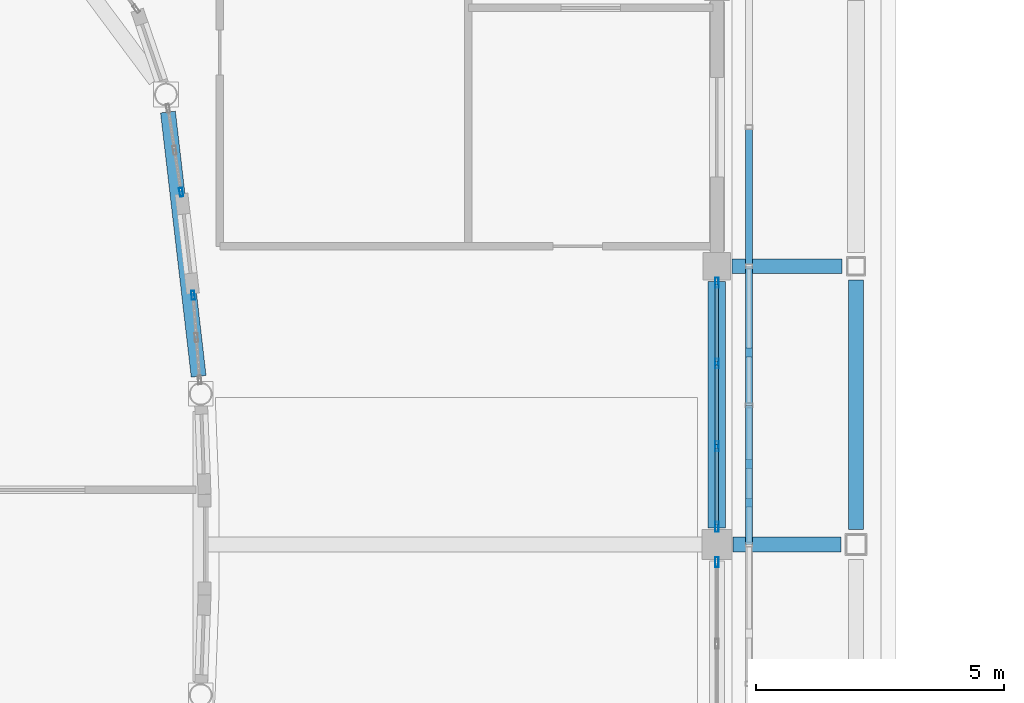
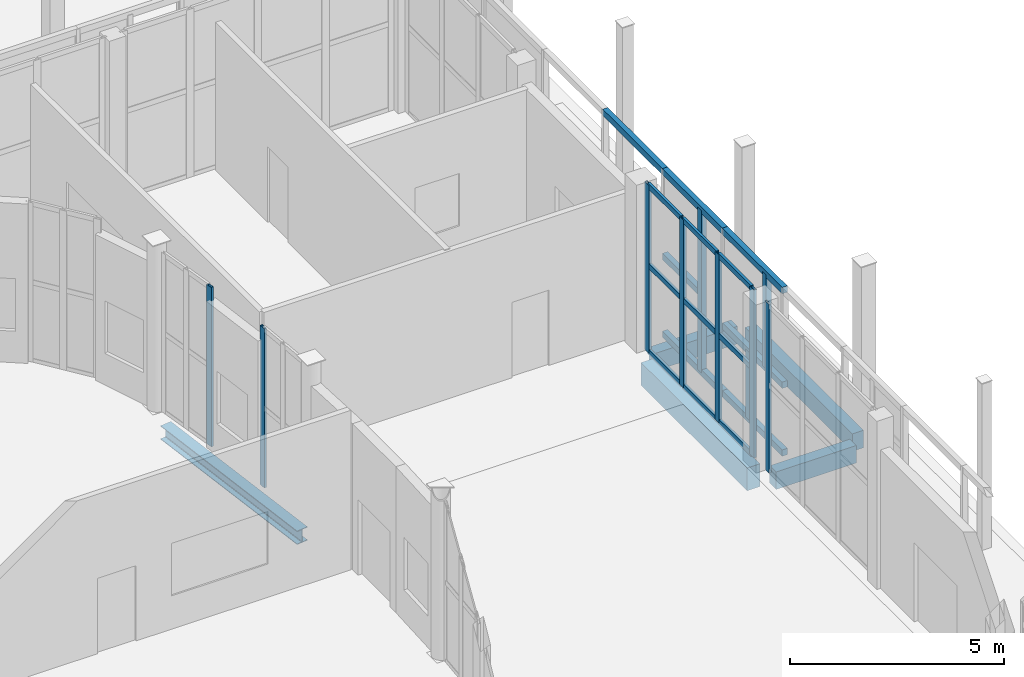
# One storey, part 43 of 91: 26 members, 5 beams, 4 elements without a shape of their own.
"""IFC4 building model written with IfcOpenShell, lengths in metres."""

from ifc_helpers import new_model, si_unit, direction, frame, origin, origin_2d, place, context, subcontext, project, spatial, rectangle, hollow_rectangle, i_section, extrude, material, layer, layer_set, material_profile, profile_set, type_object, element, aggregate, save


model = new_model("IFC4")

# Units and contexts
model_context = context("Model", 3, precision=1e-05, world=origin(), true_north=direction((0.0, 1.0)))
body_context = subcontext(model_context, "Body", "Model", "MODEL_VIEW")
ifc_project = project(units=[si_unit("LENGTHUNIT", "METRE"), si_unit("AREAUNIT", "SQUARE_METRE"), si_unit("VOLUMEUNIT", "CUBIC_METRE"), si_unit("PLANEANGLEUNIT", "RADIAN"), si_unit("MASSUNIT", "GRAM", prefix="KILO")], contexts=[model_context])

# Site, building, storey
site_placement = place(None, origin())
site = spatial("IfcSite", under=ifc_project, at=site_placement, CompositionType="ELEMENT")
building_placement = place(site_placement, origin())
building = spatial("IfcBuilding", under=site, at=building_placement, Name="Vinh Khe Railworks Police Headquarters", CompositionType="ELEMENT")
storey_placement = place(building_placement, origin())
storey = spatial("IfcBuildingStorey", under=building, at=storey_placement, Name="L00", CompositionType="ELEMENT", Elevation=0.0)

# Members
ifc_material_1 = material(Name="Salvaged ironwood timber", Category="wood")
ifc_material_profile_1 = material_profile(ifc_material_1, rectangle(XDim=0.139892578125, YDim=0.179931640625, at=origin_2d()), Name="TIMBER 140x180")
ifc_profile_set_1 = profile_set([ifc_material_profile_1], Name="Salvaged ironwood timber")
member_type_1 = type_object("IfcMemberType", Name="MEM-QUILT-STILE", PredefinedType="CHORD", material=ifc_profile_set_1)
for number, where, z_axis, x_axis, name in (
    (1, (60.64990234375, 42.0, 4.719970703125), (0.0, 1.0, 0.0), (-1.0, 0.0, 0.0), "Salvaged Timber Quilt Transom E-L00-06-TOP"),
    (2, (60.64990234375, 42.0, 0.080078125), (0.0, 1.0, 0.0), (-1.0, 0.0, 0.0), "Salvaged Timber Quilt Transom E-L00-06-BOT"),
    (3, (60.64990234375, 42.0, 2.01611328125), (0.0, 1.0, 0.0), (-1.0, 0.0, 0.0), "Salvaged Timber Quilt Transom E-L00-06-M1"),
):
    element("IfcMember", number, at=place(storey_placement, frame(where, z_axis=z_axis, x_axis=x_axis)), inside=storey, type_object=member_type_1, Name=name, PredefinedType="CHORD", context=body_context, shape_type="SweptSolid", body=[
        extrude(rectangle(XDim=0.139892578125, YDim=0.179931640625, at=origin_2d()), origin(), (0.0, 0.0, 1.0), 2.800048828125),
    ])
member_1_placement = place(storey_placement, frame((60.64990234375, 43.6240234375, 0.080078125), z_axis=(0.0, 0.0, 1.0), x_axis=(1.0, 0.0, 0.0)))
element("IfcMember", 4, at=member_1_placement, inside=storey, type_object=member_type_1, Name="Salvaged Timber Quilt Stile E-L00-06-V1", PredefinedType="POST", context=body_context, shape_type="SweptSolid", body=[
    extrude(rectangle(XDim=0.139892578125, YDim=0.179931640625, at=origin_2d()), origin(), (0.0, 0.0, 1.0), 1.93603515625),
])
member_2_placement = place(storey_placement, frame((60.64990234375, 42.840087890625, 2.01611328125), z_axis=(0.0, 0.0, 1.0), x_axis=(1.0, 0.0, 0.0)))
element("IfcMember", 5, at=member_2_placement, inside=storey, type_object=member_type_1, Name="Salvaged Timber Quilt Stile E-L00-06-V2", PredefinedType="POST", context=body_context, shape_type="SweptSolid", body=[
    extrude(rectangle(XDim=0.139892578125, YDim=0.179931640625, at=origin_2d()), origin(), (0.0, 0.0, 1.0), 2.703857421875),
])
for number, where, z_axis, x_axis, name in (
    (6, (60.64990234375, 44.800048828125, 4.719970703125), (0.0, 1.0, 0.0), (-1.0, 0.0, 0.0), "Salvaged Timber Quilt Transom E-L00-07-TOP"),
    (7, (60.64990234375, 44.800048828125, 0.080078125), (0.0, 1.0, 0.0), (-1.0, 0.0, 0.0), "Salvaged Timber Quilt Transom E-L00-07-BOT"),
):
    element("IfcMember", number, at=place(storey_placement, frame(where, z_axis=z_axis, x_axis=x_axis)), inside=storey, type_object=member_type_1, Name=name, PredefinedType="CHORD", context=body_context, shape_type="SweptSolid", body=[
        extrude(rectangle(XDim=0.139892578125, YDim=0.179931640625, at=origin_2d()), origin(), (0.0, 0.0, 1.0), 2.800048828125),
    ])
member_3_placement = place(storey_placement, frame((60.64990234375, 45.864013671875, 0.080078125), z_axis=(0.0, 0.0, 1.0), x_axis=(1.0, 0.0, 0.0)))
element("IfcMember", 8, at=member_3_placement, inside=storey, type_object=member_type_1, Name="Salvaged Timber Quilt Stile E-L00-07-V1", PredefinedType="POST", context=body_context, shape_type="SweptSolid", body=[
    extrude(rectangle(XDim=0.139892578125, YDim=0.179931640625, at=origin_2d()), origin(), (0.0, 0.0, 1.0), 4.639892578125),
])
member_4_placement = place(storey_placement, frame((60.64990234375, 45.864013671875, 2.303955078125), z_axis=(0.0, 1.0, 0.0), x_axis=(-1.0, 0.0, 0.0)))
element("IfcMember", 9, at=member_4_placement, inside=storey, type_object=member_type_1, Name="Salvaged Timber Quilt Transom E-L00-07-M1", PredefinedType="CHORD", context=body_context, shape_type="SweptSolid", body=[
    extrude(rectangle(XDim=0.139892578125, YDim=0.179931640625, at=origin_2d()), origin(), (0.0, 0.0, 1.0), 1.736083984375),
])
member_5_placement = place(storey_placement, frame((60.64990234375, 47.60009765625, 4.719970703125), z_axis=(0.0, 1.0, 0.0), x_axis=(-1.0, 0.0, 0.0)))
element("IfcMember", 10, at=member_5_placement, inside=storey, type_object=member_type_1, Name="Salvaged Timber Quilt Transom E-L00-08-TOP", PredefinedType="CHORD", context=body_context, shape_type="SweptSolid", body=[
    extrude(rectangle(XDim=0.139892578125, YDim=0.179931640625, at=origin_2d()), origin(), (0.0, 0.0, 1.0), 2.7998046875),
])

# Curtain wall, member
ifc_material_2 = material(Name="Anodised aluminium and acoustic laminated glass", Category="aluminium")
ifc_layer_1 = layer(ifc_material_2, 0.159912109375)
ifc_layer_set_1 = layer_set([ifc_layer_1], Name="Anodised aluminium and acoustic laminated glass")
curtain_wall_type_1 = type_object("IfcCurtainWallType", Name="CW-DRUM-CHORD", PredefinedType="USERDEFINED", material=ifc_layer_set_1)
curtain_wall_1_placement = place(storey_placement, origin())
curtain_wall_1 = element("IfcCurtainWall", 11, at=curtain_wall_1_placement, inside=storey, type_object=curtain_wall_type_1, Name="Elliptical Command Drum Glazing L00 Chord 7", ObjectType="DRUM FACADE GLAZING", PredefinedType="USERDEFINED")
ifc_material_3 = material(Name="Anodised aluminium 6063-T6", Category="aluminium")
ifc_material_profile_2 = material_profile(ifc_material_3, hollow_rectangle(XDim=0.06494140625, YDim=0.179931640625, WallThickness=0.0048828125, at=origin_2d()), Name="CW-M 65x180x5")
ifc_profile_set_2 = profile_set([ifc_material_profile_2], Name="Anodised aluminium 6063-T6")
member_type_2 = type_object("IfcMemberType", Name="MULL-CWM-02", PredefinedType="MULLION", material=ifc_profile_set_2)
member_6_placement = place(storey_placement, frame((49.459228515625, 47.01611328125, 0.0), z_axis=(0.0, 0.0, 1.0), x_axis=(-0.997033391352, -0.076970231448, 0.0)))
member_6 = element("IfcMember", 12, at=member_6_placement, type_object=member_type_2, Name="CW-02 mullion 3", PredefinedType="MULLION", context=body_context, shape_type="SweptSolid", body=[
    extrude(hollow_rectangle(XDim=0.06494140625, YDim=0.179931640625, WallThickness=0.0048828125, at=origin_2d()), origin(), (0.0, 0.0, 1.0), 4.550048828125),
])
aggregate(curtain_wall_1, [member_6])

curtain_wall_2_placement = place(storey_placement, origin())
curtain_wall_2 = element("IfcCurtainWall", 13, at=curtain_wall_2_placement, inside=storey, type_object=curtain_wall_type_1, Name="Elliptical Command Drum Glazing L00 Chord 9", ObjectType="DRUM FACADE GLAZING", PredefinedType="USERDEFINED")
member_7_placement = place(storey_placement, frame((49.218505859375, 49.089599609375, 0.0), z_axis=(0.0, 0.0, 1.0), x_axis=(-0.988149989037, -0.153491365117, 0.0)))
member_7 = element("IfcMember", 14, at=member_7_placement, type_object=member_type_2, Name="CW-02 mullion 1", PredefinedType="MULLION", context=body_context, shape_type="SweptSolid", body=[
    extrude(hollow_rectangle(XDim=0.06494140625, YDim=0.179931640625, WallThickness=0.0048828125, at=origin_2d()), origin(), (0.0, 0.0, 1.0), 4.550048828125),
])
aggregate(curtain_wall_2, [member_7])

ifc_material_4 = material(Name="Anodised aluminium and low-iron glass", Category="aluminium")
ifc_layer_2 = layer(ifc_material_4, 0.179931640625)
ifc_layer_set_2 = layer_set([ifc_layer_2], Name="Anodised aluminium and low-iron glass")
curtain_wall_type_2 = type_object("IfcCurtainWallType", Name="CW-CUBE-UNIT", PredefinedType="USERDEFINED", material=ifc_layer_set_2)
curtain_wall_3_placement = place(storey_placement, origin())
curtain_wall_3 = element("IfcCurtainWall", 15, at=curtain_wall_3_placement, inside=storey, type_object=curtain_wall_type_2, Name="Entrance Hall Curtain Wall L00 E-3", ObjectType="UNITISED GLAZING", PredefinedType="USERDEFINED")
ifc_material_profile_3 = material_profile(ifc_material_3, hollow_rectangle(XDim=0.070068359375, YDim=0.199951171875, WallThickness=0.0048828125, at=origin_2d()), Name="CW-M 70x200x5")
ifc_profile_set_3 = profile_set([ifc_material_profile_3], Name="Anodised aluminium 6063-T6")
member_type_3 = type_object("IfcMemberType", Name="MULL-CWM-03", PredefinedType="MULLION", material=ifc_profile_set_3)
member_8_placement = place(storey_placement, frame((60.0, 41.64501953125, 0.0), z_axis=(0.0, 0.0, 1.0), x_axis=(-1.0, 0.0, 0.0)))
member_8 = element("IfcMember", 16, at=member_8_placement, type_object=member_type_3, Name="CW-01 mullion 4", PredefinedType="MULLION", context=body_context, shape_type="SweptSolid", body=[
    extrude(hollow_rectangle(XDim=0.070068359375, YDim=0.199951171875, WallThickness=0.0048828125, at=origin_2d()), origin(), (0.0, 0.0, 1.0), 4.800048828125),
])
aggregate(curtain_wall_3, [member_8])

# Curtain wall, members
curtain_wall_4_placement = place(storey_placement, origin())
curtain_wall_4 = element("IfcCurtainWall", 17, at=curtain_wall_4_placement, inside=storey, type_object=curtain_wall_type_2, Name="Entrance Hall Curtain Wall L00 E-4", ObjectType="UNITISED GLAZING", PredefinedType="USERDEFINED")
member_9_placement = place(storey_placement, frame((60.0, 42.35498046875, 0.0), z_axis=(0.0, 0.0, 1.0), x_axis=(-1.0, 0.0, 0.0)))
member_9 = element("IfcMember", 18, at=member_9_placement, type_object=member_type_3, Name="CW-01 mullion 1", PredefinedType="MULLION", context=body_context, shape_type="SweptSolid", body=[
    extrude(hollow_rectangle(XDim=0.070068359375, YDim=0.199951171875, WallThickness=0.0048828125, at=origin_2d()), origin(), (0.0, 0.0, 1.0), 4.800048828125),
])
member_10_placement = place(storey_placement, frame((60.0, 43.981689453125, 0.0), z_axis=(0.0, 0.0, 1.0), x_axis=(-1.0, 0.0, 0.0)))
member_10 = element("IfcMember", 19, at=member_10_placement, type_object=member_type_3, Name="CW-01 mullion 2", PredefinedType="MULLION", context=body_context, shape_type="SweptSolid", body=[
    extrude(hollow_rectangle(XDim=0.070068359375, YDim=0.199951171875, WallThickness=0.0048828125, at=origin_2d()), origin(), (0.0, 0.0, 1.0), 4.800048828125),
])
member_11_placement = place(storey_placement, frame((60.0, 45.643310546875, 0.0), z_axis=(0.0, 0.0, 1.0), x_axis=(-1.0, 0.0, 0.0)))
member_11 = element("IfcMember", 20, at=member_11_placement, type_object=member_type_3, Name="CW-01 mullion 3", PredefinedType="MULLION", context=body_context, shape_type="SweptSolid", body=[
    extrude(hollow_rectangle(XDim=0.070068359375, YDim=0.199951171875, WallThickness=0.0048828125, at=origin_2d()), origin(), (0.0, 0.0, 1.0), 4.800048828125),
])
member_12_placement = place(storey_placement, frame((60.0, 47.27001953125, 0.0), z_axis=(0.0, 0.0, 1.0), x_axis=(-1.0, 0.0, 0.0)))
member_12 = element("IfcMember", 21, at=member_12_placement, type_object=member_type_3, Name="CW-01 mullion 4", PredefinedType="MULLION", context=body_context, shape_type="SweptSolid", body=[
    extrude(hollow_rectangle(XDim=0.070068359375, YDim=0.199951171875, WallThickness=0.0048828125, at=origin_2d()), origin(), (0.0, 0.0, 1.0), 4.800048828125),
])

# Beams
ifc_material_5 = material(Name="Concrete C35/45 (B35)", Category="concrete")
ifc_material_profile_4 = material_profile(ifc_material_5, rectangle(XDim=0.300048828125, YDim=0.5, at=origin_2d()), Name="RC 300x500")
ifc_profile_set_4 = profile_set([ifc_material_profile_4], Name="Concrete C35/45 (B35)")
beam_type_1 = type_object("IfcBeamType", Name="RC Girder RC 300x500", PredefinedType="BEAM", material=ifc_profile_set_4)
beam_1_placement = place(storey_placement, frame((60.330078125, 42.0, -0.530029296875), z_axis=(1.0, 0.0, 0.0), x_axis=(0.0, 1.0, 0.0)))
element("IfcBeam", 22, at=beam_1_placement, inside=storey, type_object=beam_type_1, Name="Girder BM-L00-EW-RB-10-0060", PredefinedType="BEAM", context=body_context, shape_type="SweptSolid", body=[
    extrude(rectangle(XDim=0.300048828125, YDim=0.5, at=origin_2d()), origin(), (0.0, 0.0, 1.0), 2.1650390625),
])
beam_2_placement = place(storey_placement, frame((60.304931640625, 47.60009765625, -0.530029296875), z_axis=(1.0, 0.0, 0.0), x_axis=(0.0, 1.0, 0.0)))
element("IfcBeam", 23, at=beam_2_placement, inside=storey, type_object=beam_type_1, Name="Girder BM-L00-EW-RB-10-0066", PredefinedType="BEAM", context=body_context, shape_type="SweptSolid", body=[
    extrude(rectangle(XDim=0.300048828125, YDim=0.5, at=origin_2d()), origin(), (0.0, 0.0, 1.0), 2.215087890625),
])
beam_3_placement = place(storey_placement, frame((62.800048828125, 42.304931640625, -0.530029296875), z_axis=(0.0, 1.0, 0.0), x_axis=(-1.0, 0.0, 0.0)))
element("IfcBeam", 24, at=beam_3_placement, inside=storey, type_object=beam_type_1, Name="Girder BM-L00-NS-RB-10-0339", PredefinedType="BEAM", context=body_context, shape_type="SweptSolid", body=[
    extrude(rectangle(XDim=0.300048828125, YDim=0.5, at=origin_2d()), origin(), (0.0, 0.0, 1.0), 5.01513671875),
])
ifc_material_profile_5 = material_profile(ifc_material_5, rectangle(XDim=0.35009765625, YDim=0.64990234375, at=origin_2d()), Name="RC 350x650")
ifc_profile_set_5 = profile_set([ifc_material_profile_5], Name="Concrete C35/45 (B35)")
beam_type_2 = type_object("IfcBeamType", Name="RC Girder RC 350x650", PredefinedType="BEAM", material=ifc_profile_set_5)
beam_4_placement = place(storey_placement, frame((60.0, 42.330078125, -0.60498046875), z_axis=(0.0, 1.0, 0.0), x_axis=(-1.0, 0.0, 0.0)))
element("IfcBeam", 25, at=beam_4_placement, inside=storey, type_object=beam_type_2, Name="Girder BM-L00-NS-RB-08-0325", PredefinedType="BEAM", context=body_context, shape_type="SweptSolid", body=[
    extrude(rectangle(XDim=0.35009765625, YDim=0.64990234375, at=origin_2d()), origin(), (0.0, 0.0, 1.0), 4.96484375),
])
ifc_material_6 = material(Name="Steel S355JR", Category="steel")
ifc_material_profile_6 = material_profile(ifc_material_6, i_section(OverallWidth=0.300048828125, OverallDepth=0.389892578125, WebThickness=0.010986328125, FlangeThickness=0.01904296875, FilletRadius=0.027099609375, at=origin_2d()), Name="HEA 400")
ifc_profile_set_6 = profile_set([ifc_material_profile_6], Name="Steel S355JR")
beam_type_3 = type_object("IfcBeamType", Name="Steel Girder HEA 400", PredefinedType="BEAM", material=ifc_profile_set_6)
beam_5_placement = place(storey_placement, frame((49.571533203125, 45.384765625, -0.47509765625), z_axis=(-0.115314624092, 0.993329017733, 0.0), x_axis=(-0.993329017733, -0.115314624092, 0.0)))
element("IfcBeam", 26, at=beam_5_placement, inside=storey, type_object=beam_type_3, Name="Drum Ring Girder BM-L00-DRUM-SB-14-0397", PredefinedType="BEAM", context=body_context, shape_type="SweptSolid", body=[
    extrude(i_section(OverallWidth=0.300048828125, OverallDepth=0.389892578125, WebThickness=0.010986328125, FlangeThickness=0.01904296875, FilletRadius=0.027099609375, at=origin_2d()), origin(), (0.0, 0.0, 1.0), 5.354248046875),
])

# Member
ifc_material_profile_7 = material_profile(ifc_material_3, hollow_rectangle(XDim=0.070068359375, YDim=0.14990234375, WallThickness=0.0048828125, at=origin_2d()), Name="CW-T 70x150x5")
ifc_profile_set_7 = profile_set([ifc_material_profile_7], Name="Anodised aluminium 6063-T6")
member_type_4 = type_object("IfcMemberType", Name="TRAN-CWT-03", PredefinedType="USERDEFINED", material=ifc_profile_set_7)
member_13_placement = place(storey_placement, frame((60.0, 42.389892578125, 0.034912109375), z_axis=(0.0, 1.0, 0.0), x_axis=(-1.0, 0.0, 0.0)))
member_13 = element("IfcMember", 27, at=member_13_placement, type_object=member_type_4, Name="CW-01 transom 1.1", ObjectType="TRANSOM", PredefinedType="USERDEFINED", context=body_context, shape_type="SweptSolid", body=[
    extrude(hollow_rectangle(XDim=0.070068359375, YDim=0.14990234375, WallThickness=0.0048828125, at=origin_2d()), origin(), (0.0, 0.0, 1.0), 1.556884765625),
])

member_14_placement = place(storey_placement, frame((60.0, 42.389892578125, 2.49609375), z_axis=(0.0, 1.0, 0.0), x_axis=(-1.0, 0.0, 0.0)))
member_14 = element("IfcMember", 28, at=member_14_placement, type_object=member_type_4, Name="CW-01 transom 1.2", ObjectType="TRANSOM", PredefinedType="USERDEFINED", context=body_context, shape_type="SweptSolid", body=[
    extrude(hollow_rectangle(XDim=0.070068359375, YDim=0.14990234375, WallThickness=0.0048828125, at=origin_2d()), origin(), (0.0, 0.0, 1.0), 1.556884765625),
])

member_15_placement = place(storey_placement, frame((60.0, 42.389892578125, 4.764892578125), z_axis=(0.0, 1.0, 0.0), x_axis=(-1.0, 0.0, 0.0)))
member_15 = element("IfcMember", 29, at=member_15_placement, type_object=member_type_4, Name="CW-01 transom 1.3", ObjectType="TRANSOM", PredefinedType="USERDEFINED", context=body_context, shape_type="SweptSolid", body=[
    extrude(hollow_rectangle(XDim=0.070068359375, YDim=0.14990234375, WallThickness=0.0048828125, at=origin_2d()), origin(), (0.0, 0.0, 1.0), 1.556884765625),
])

member_16_placement = place(storey_placement, frame((60.0, 44.0166015625, 0.034912109375), z_axis=(0.0, 1.0, 0.0), x_axis=(-1.0, 0.0, 0.0)))
member_16 = element("IfcMember", 30, at=member_16_placement, type_object=member_type_4, Name="CW-01 transom 2.1", ObjectType="TRANSOM", PredefinedType="USERDEFINED", context=body_context, shape_type="SweptSolid", body=[
    extrude(hollow_rectangle(XDim=0.070068359375, YDim=0.14990234375, WallThickness=0.0048828125, at=origin_2d()), origin(), (0.0, 0.0, 1.0), 1.591796875),
])

member_17_placement = place(storey_placement, frame((60.0, 44.0166015625, 2.49609375), z_axis=(0.0, 1.0, 0.0), x_axis=(-1.0, 0.0, 0.0)))
member_17 = element("IfcMember", 31, at=member_17_placement, type_object=member_type_4, Name="CW-01 transom 2.2", ObjectType="TRANSOM", PredefinedType="USERDEFINED", context=body_context, shape_type="SweptSolid", body=[
    extrude(hollow_rectangle(XDim=0.070068359375, YDim=0.14990234375, WallThickness=0.0048828125, at=origin_2d()), origin(), (0.0, 0.0, 1.0), 1.591796875),
])

member_18_placement = place(storey_placement, frame((60.0, 44.0166015625, 4.764892578125), z_axis=(0.0, 1.0, 0.0), x_axis=(-1.0, 0.0, 0.0)))
member_18 = element("IfcMember", 32, at=member_18_placement, type_object=member_type_4, Name="CW-01 transom 2.3", ObjectType="TRANSOM", PredefinedType="USERDEFINED", context=body_context, shape_type="SweptSolid", body=[
    extrude(hollow_rectangle(XDim=0.070068359375, YDim=0.14990234375, WallThickness=0.0048828125, at=origin_2d()), origin(), (0.0, 0.0, 1.0), 1.591796875),
])

member_19_placement = place(storey_placement, frame((60.0, 45.67822265625, 0.034912109375), z_axis=(0.0, 1.0, 0.0), x_axis=(-1.0, 0.0, 0.0)))
member_19 = element("IfcMember", 33, at=member_19_placement, type_object=member_type_4, Name="CW-01 transom 3.1", ObjectType="TRANSOM", PredefinedType="USERDEFINED", context=body_context, shape_type="SweptSolid", body=[
    extrude(hollow_rectangle(XDim=0.070068359375, YDim=0.14990234375, WallThickness=0.0048828125, at=origin_2d()), origin(), (0.0, 0.0, 1.0), 1.556884765625),
])

member_20_placement = place(storey_placement, frame((60.0, 45.67822265625, 2.49609375), z_axis=(0.0, 1.0, 0.0), x_axis=(-1.0, 0.0, 0.0)))
member_20 = element("IfcMember", 34, at=member_20_placement, type_object=member_type_4, Name="CW-01 transom 3.2", ObjectType="TRANSOM", PredefinedType="USERDEFINED", context=body_context, shape_type="SweptSolid", body=[
    extrude(hollow_rectangle(XDim=0.070068359375, YDim=0.14990234375, WallThickness=0.0048828125, at=origin_2d()), origin(), (0.0, 0.0, 1.0), 1.556884765625),
])

member_21_placement = place(storey_placement, frame((60.0, 45.67822265625, 4.764892578125), z_axis=(0.0, 1.0, 0.0), x_axis=(-1.0, 0.0, 0.0)))
member_21 = element("IfcMember", 35, at=member_21_placement, type_object=member_type_4, Name="CW-01 transom 3.3", ObjectType="TRANSOM", PredefinedType="USERDEFINED", context=body_context, shape_type="SweptSolid", body=[
    extrude(hollow_rectangle(XDim=0.070068359375, YDim=0.14990234375, WallThickness=0.0048828125, at=origin_2d()), origin(), (0.0, 0.0, 1.0), 1.556884765625),
])

aggregate(curtain_wall_4, [member_9, member_10, member_11, member_12, member_13, member_14, member_15, member_16, member_17, member_18, member_19, member_20, member_21])

save(model, "model.ifc")
